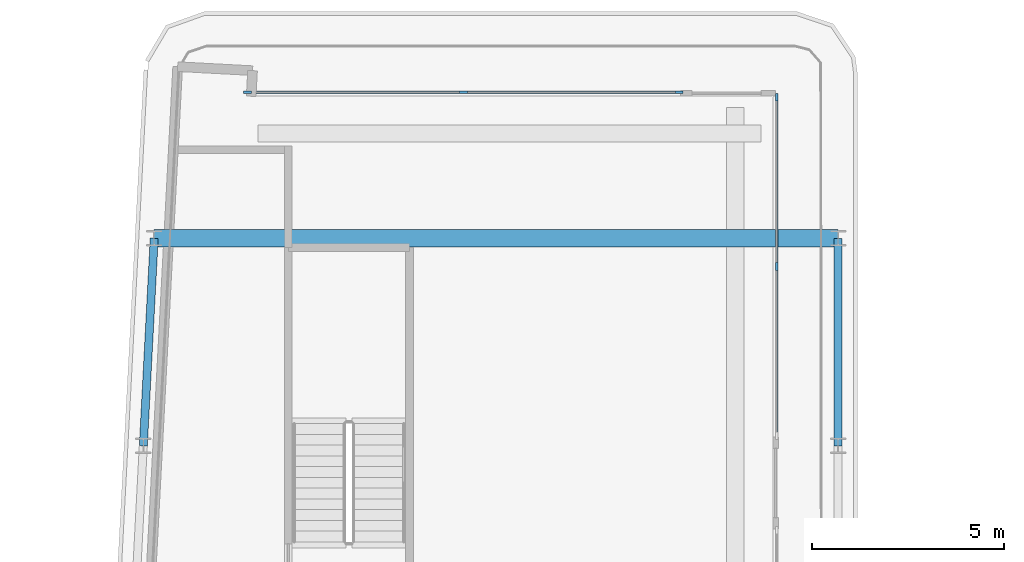
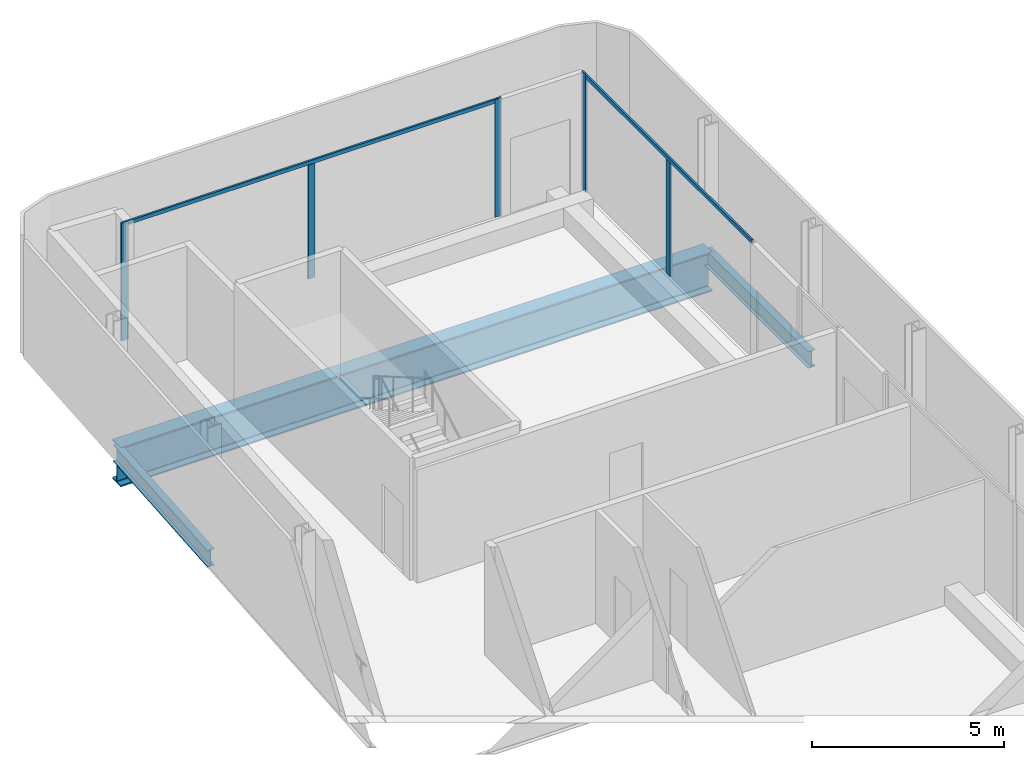
# One storey, part 7 of 21: 7 members, 3 beams, 2 elements without a shape of their own.
"""IFC4 building model written with IfcOpenShell, lengths in metres."""

from ifc_helpers import new_model, si_unit, direction, frame, origin, origin_2d, place, context, subcontext, project, spatial, rectangle, i_section, extrude, material, layer, layer_set, material_profile, profile_set, type_object, element, aggregate, save


model = new_model("IFC4")

# Units and contexts
model_context = context("Model", 3, precision=1e-05, world=origin(), true_north=direction((0.0, 1.0)))
body_context = subcontext(model_context, "Body", "Model", "MODEL_VIEW")
ifc_project = project(units=[si_unit("LENGTHUNIT", "METRE"), si_unit("AREAUNIT", "SQUARE_METRE"), si_unit("VOLUMEUNIT", "CUBIC_METRE"), si_unit("PLANEANGLEUNIT", "RADIAN"), si_unit("MASSUNIT", "GRAM", prefix="KILO")], contexts=[model_context])

# Site, building, storey
site_placement = place(None, origin())
site = spatial("IfcSite", under=ifc_project, at=site_placement, CompositionType="ELEMENT")
building_placement = place(site_placement, origin())
building = spatial("IfcBuilding", under=site, at=building_placement, Name="Kheshtan School and Residences Tower", CompositionType="ELEMENT")
storey_placement = place(building_placement, frame((0.0, 0.0, 227.89990234375)))
storey = spatial("IfcBuildingStorey", under=building, at=storey_placement, Name="L53", CompositionType="ELEMENT", Elevation=227.89990234375)

# Beams
ifc_material_1 = material(Name="Steel ASTM A992 Grade 50", Category="steel")
ifc_material_profile_1 = material_profile(ifc_material_1, i_section(OverallWidth=0.208984375, OverallDepth=0.532958984375, WebThickness=0.01025390625, FlangeThickness=0.015625, FilletRadius=0.013916015625, at=origin_2d()), Name="W530x92")
ifc_profile_set_1 = profile_set([ifc_material_profile_1], Name="Steel ASTM A992 Grade 50")
beam_type_1 = type_object("IfcBeamType", Name="Beam SP3 W530x92 ASTM A992 Grade 50", PredefinedType="BEAM", material=ifc_profile_set_1)
beam_1_placement = place(storey_placement, frame((47.60009765625, 88.800048828125, -0.41650390625), z_axis=(0.0, -1.0, 0.0), x_axis=(1.0, 0.0, 0.0)))
element("IfcBeam", 1, at=beam_1_placement, inside=storey, type_object=beam_type_1, Name="Spandrel beam C099-C091", PredefinedType="BEAM", context=body_context, shape_type="SweptSolid", body=[
    extrude(i_section(OverallWidth=0.208984375, OverallDepth=0.532958984375, WebThickness=0.01025390625, FlangeThickness=0.015625, FilletRadius=0.013916015625, at=origin_2d()), origin(), (0.0, 0.0, 1.0), 5.400146484375),
])
beam_2_placement = place(storey_placement, frame((29.527099609375, 83.39990234375, -0.41650390625), z_axis=(0.05250670125, 0.998620571751, 0.0), x_axis=(-0.998620571751, 0.05250670125, 0.0)))
element("IfcBeam", 2, at=beam_2_placement, inside=storey, type_object=beam_type_1, Name="Spandrel beam C090-C098", PredefinedType="BEAM", context=body_context, shape_type="SweptSolid", body=[
    extrude(i_section(OverallWidth=0.208984375, OverallDepth=0.532958984375, WebThickness=0.01025390625, FlangeThickness=0.015625, FilletRadius=0.013916015625, at=origin_2d()), origin(), (0.0, 0.0, 1.0), 5.40771484375),
])

# Curtain wall, members
ifc_material_2 = material(Name="Clear low-e glass in thermally broken aluminium frame", Category="aluminium")
ifc_layer = layer(ifc_material_2, 0.199951171875)
ifc_layer_set = layer_set([ifc_layer], Name="Curtain wall CW-L")
curtain_wall_type = type_object("IfcCurtainWallType", Name="Curtain wall CW-L", PredefinedType="NOTDEFINED", material=ifc_layer_set)
curtain_wall_1_placement = place(storey_placement, origin())
curtain_wall_1 = element("IfcCurtainWall", 3, at=curtain_wall_1_placement, inside=storey, type_object=curtain_wall_type, Name="Curtain wall CWL3a", PredefinedType="NOTDEFINED")
ifc_material_3 = material(Name="Thermally broken aluminium, dark bronze anodised", Category="aluminium")
ifc_material_profile_2 = material_profile(ifc_material_3, rectangle(XDim=0.06005859375, YDim=0.199951171875, at=origin_2d()), Name="CW-L mullion 60x200")
ifc_profile_set_2 = profile_set([ifc_material_profile_2], Name="Thermally broken aluminium, dark bronze anodised")
member_type_1 = type_object("IfcMemberType", Name="CW-L mullion 60x200", PredefinedType="MULLION", material=ifc_profile_set_2)
member_1_placement = place(storey_placement, frame((32.238037109375, 92.60009765625, 0.0), z_axis=(0.0, 0.0, 1.0), x_axis=(0.0, 1.0, 0.0)))
member_1 = element("IfcMember", 4, at=member_1_placement, type_object=member_type_1, Name="CWL3a mullion 1", PredefinedType="MULLION", context=body_context, shape_type="SweptSolid", body=[
    extrude(rectangle(XDim=0.06005859375, YDim=0.199951171875, at=origin_2d()), origin(), (0.0, 0.0, 1.0), 3.75),
])
member_2_placement = place(storey_placement, frame((37.85400390625, 92.60009765625, 0.0), z_axis=(0.0, 0.0, 1.0), x_axis=(0.0, 1.0, 0.0)))
member_2 = element("IfcMember", 5, at=member_2_placement, type_object=member_type_1, Name="CWL3a mullion 2", PredefinedType="MULLION", context=body_context, shape_type="SweptSolid", body=[
    extrude(rectangle(XDim=0.06005859375, YDim=0.199951171875, at=origin_2d()), origin(), (0.0, 0.0, 1.0), 3.630126953125),
])
member_3_placement = place(storey_placement, frame((43.469970703125, 92.60009765625, 0.0), z_axis=(0.0, 0.0, 1.0), x_axis=(0.0, 1.0, 0.0)))
member_3 = element("IfcMember", 6, at=member_3_placement, type_object=member_type_1, Name="CWL3a mullion 3", PredefinedType="MULLION", context=body_context, shape_type="SweptSolid", body=[
    extrude(rectangle(XDim=0.06005859375, YDim=0.199951171875, at=origin_2d()), origin(), (0.0, 0.0, 1.0), 3.75),
])

curtain_wall_2_placement = place(storey_placement, origin())
curtain_wall_2 = element("IfcCurtainWall", 7, at=curtain_wall_2_placement, inside=storey, type_object=curtain_wall_type, Name="Curtain wall CWL4b", PredefinedType="NOTDEFINED")
member_4_placement = place(storey_placement, frame((46.0, 92.469970703125, 0.0), z_axis=(0.0, 0.0, 1.0), x_axis=(1.0, 0.0, 0.0)))
member_4 = element("IfcMember", 8, at=member_4_placement, type_object=member_type_1, Name="CWL4b mullion 1", PredefinedType="MULLION", context=body_context, shape_type="SweptSolid", body=[
    extrude(rectangle(XDim=0.06005859375, YDim=0.199951171875, at=origin_2d()), origin(), (0.0, 0.0, 1.0), 3.75),
])
member_5_placement = place(storey_placement, frame((46.0, 88.066162109375, 0.0), z_axis=(0.0, 0.0, 1.0), x_axis=(1.0, 0.0, 0.0)))
member_5 = element("IfcMember", 9, at=member_5_placement, type_object=member_type_1, Name="CWL4b mullion 2", PredefinedType="MULLION", context=body_context, shape_type="SweptSolid", body=[
    extrude(rectangle(XDim=0.06005859375, YDim=0.199951171875, at=origin_2d()), origin(), (0.0, 0.0, 1.0), 3.630126953125),
])

# Member
ifc_material_profile_3 = material_profile(ifc_material_3, rectangle(XDim=0.06005859375, YDim=0.1201171875, at=origin_2d()), Name="CW-L transom 60x120")
ifc_profile_set_3 = profile_set([ifc_material_profile_3], Name="Thermally broken aluminium, dark bronze anodised")
member_type_2 = type_object("IfcMemberType", Name="CW-L transom 60x120", PredefinedType="USERDEFINED", material=ifc_profile_set_3)
member_6_placement = place(storey_placement, frame((32.26806640625, 92.60009765625, 3.690185546875), z_axis=(1.0, 0.0, 0.0), x_axis=(0.0, 1.0, 0.0)))
member_6 = element("IfcMember", 10, at=member_6_placement, type_object=member_type_2, Name="CWL3a transom 1", ObjectType="TRANSOM", PredefinedType="USERDEFINED", context=body_context, shape_type="SweptSolid", body=[
    extrude(rectangle(XDim=0.06005859375, YDim=0.1201171875, at=origin_2d()), origin(), (0.0, 0.0, 1.0), 11.171875),
])

aggregate(curtain_wall_1, [member_1, member_2, member_3, member_6])

member_7_placement = place(storey_placement, frame((46.0, 92.43994140625, 3.690185546875), z_axis=(0.0, -1.0, 0.0), x_axis=(1.0, 0.0, 0.0)))
member_7 = element("IfcMember", 11, at=member_7_placement, type_object=member_type_2, Name="CWL4b transom 1", ObjectType="TRANSOM", PredefinedType="USERDEFINED", context=body_context, shape_type="SweptSolid", body=[
    extrude(rectangle(XDim=0.06005859375, YDim=0.1201171875, at=origin_2d()), origin(), (0.0, 0.0, 1.0), 8.74755859375),
])

aggregate(curtain_wall_2, [member_4, member_5, member_7])

# Beam
ifc_material_profile_4 = material_profile(ifc_material_1, i_section(OverallWidth=0.449951171875, OverallDepth=1.25, WebThickness=0.02490234375, FlangeThickness=0.044921875, FilletRadius=0.03759765625, at=origin_2d()), Name="WWF1250x546")
ifc_profile_set_4 = profile_set([ifc_material_profile_4], Name="Steel ASTM A992 Grade 50")
beam_type_2 = type_object("IfcBeamType", Name="Transfer girder TG4 WWF1250x546 ASTM A992 Grade 50", PredefinedType="BEAM", material=ifc_profile_set_4)
beam_3_placement = place(storey_placement, frame((29.81103515625, 88.800048828125, -0.77490234375), z_axis=(1.0, 0.0, 0.0), x_axis=(0.0, 1.0, 0.0)))
element("IfcBeam", 12, at=beam_3_placement, inside=storey, type_object=beam_type_2, Name="Transfer girder C098-C099", PredefinedType="BEAM", context=body_context, shape_type="SweptSolid", body=[
    extrude(i_section(OverallWidth=0.449951171875, OverallDepth=1.25, WebThickness=0.02490234375, FlangeThickness=0.044921875, FilletRadius=0.03759765625, at=origin_2d()), origin(), (0.0, 0.0, 1.0), 17.7890625),
])

save(model, "model.ifc")
